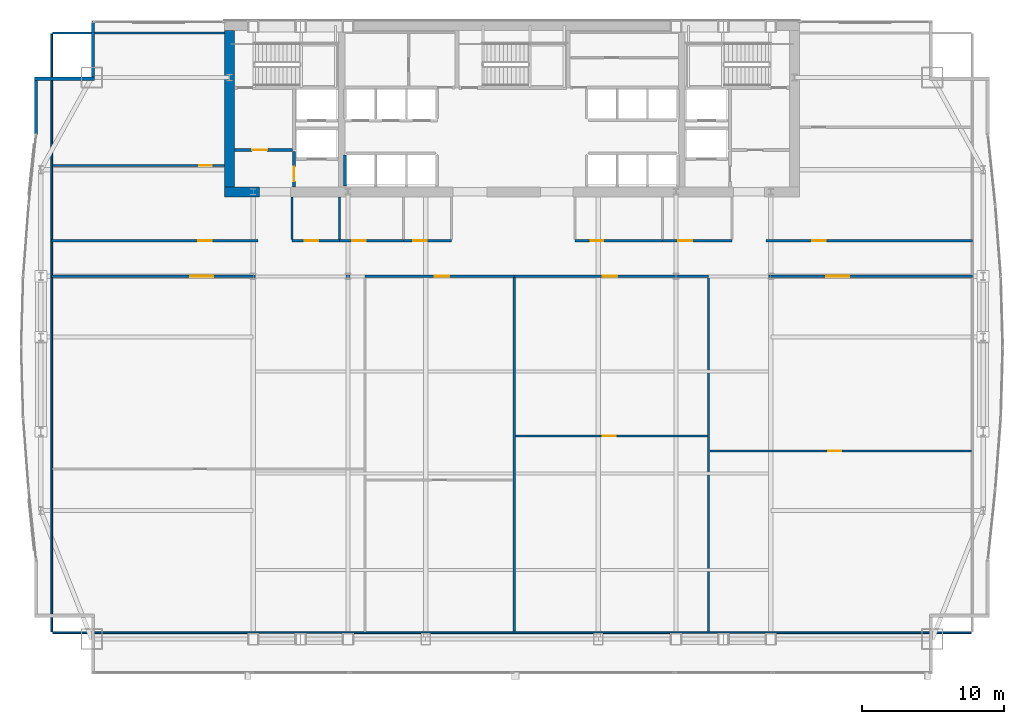
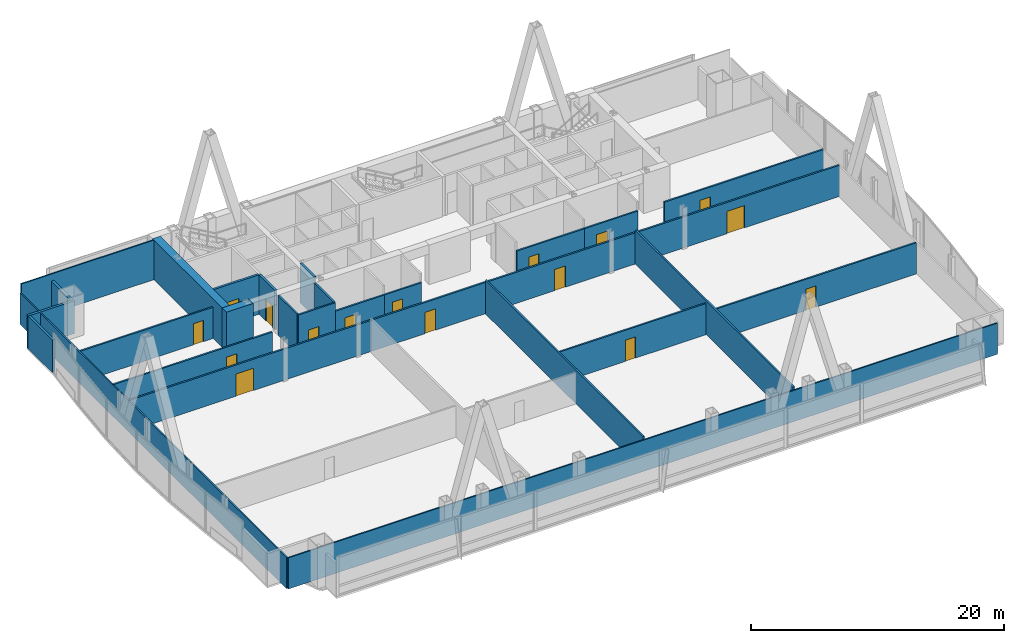
# One storey, part 28 of 32: 29 walls, 16 doors, 16 openings.
"""IFC4 building model written with IfcOpenShell, lengths in metres."""

import ifcopenshell
import ifcopenshell.guid

model = None  # the IFC model being written
_history = None  # IfcOwnerHistory: only IFC2X3 demands one
_inside = {}  # id of a spatial element -> (the spatial element, [elements in it])
_under = {}  # id of a project, library or spatial element -> (it, [spatial elements below it])
_declared = {}  # id of a project -> (the project, [libraries it declares])
_typed = {}  # id of a type object -> (the type object, [elements of that type])
_made_of = {}  # id of a material, layer set ... -> (it, [elements and type objects made of it])


def new_model(schema):
    """Start an empty IFC model of exactly this schema.

    Asked for "IFC4X3", IfcOpenShell would pick the latest addendum, in which some entities
    have other attributes; the version numbers below select the first issue.
    IFC2X3 requires an IfcOwnerHistory on every rooted entity: one is made here for all.
    """
    global model, _history
    if schema == "IFC4X3":
        model = ifcopenshell.file(schema_version=(4, 3, 0, 0))
    else:
        model = ifcopenshell.file(schema=schema)
    _inside.clear()
    _under.clear()
    _declared.clear()
    _typed.clear()
    _made_of.clear()
    _history = None
    if model.schema == "IFC2X3":
        org = make("IfcOrganization", Name="unknown")
        user = make(
            "IfcPersonAndOrganization",
            ThePerson=make("IfcPerson", FamilyName="unknown"),
            TheOrganization=org,
        )
        app = make(
            "IfcApplication",
            ApplicationDeveloper=org,
            Version="unknown",
            ApplicationFullName="unknown",
            ApplicationIdentifier="unknown",
        )
        _history = make(
            "IfcOwnerHistory",
            OwningUser=user,
            OwningApplication=app,
            ChangeAction="ADDED",
            CreationDate=0,
        )
    return model


def make(cls, **values):
    """One entity of the class cls with the attributes given. An attribute that is None is left unset."""
    return model.create_entity(
        cls, **{name: value for name, value in values.items() if value is not None}
    )


def rooted(cls, **values):
    """An entity with a GlobalId (a new one), such as an element, a storey or a relation."""
    return make(cls, GlobalId=ifcopenshell.guid.new(), OwnerHistory=_history, **values)


def si_unit(unit_type, name, prefix=None):
    """IfcSIUnit, for example si_unit("LENGTHUNIT", "METRE", prefix="MILLI")."""
    return make("IfcSIUnit", UnitType=unit_type, Prefix=prefix, Name=name)


def assignment(units):
    """IfcUnitAssignment: the units of a project."""
    return None if units is None else make("IfcUnitAssignment", Units=units)


def point(xyz):
    """IfcCartesianPoint."""
    return None if xyz is None else make("IfcCartesianPoint", Coordinates=xyz)


def direction(xyz):
    """IfcDirection."""
    return None if xyz is None else make("IfcDirection", DirectionRatios=xyz)


def frame(location, z_axis=None, x_axis=None):
    """IfcAxis2Placement3D, a coordinate frame: its origin and axes. An axis left out is left unset."""
    return make(
        "IfcAxis2Placement3D",
        Location=point(location),
        Axis=direction(z_axis),
        RefDirection=direction(x_axis),
    )


def frame_2d(location, x_axis=None):
    """IfcAxis2Placement2D, a coordinate frame in the plane: its origin and x axis."""
    return make(
        "IfcAxis2Placement2D", Location=point(location), RefDirection=direction(x_axis)
    )


def origin():
    """The frame at (0, 0, 0) with its axes left unset."""
    return frame((0.0, 0.0, 0.0))


def place(relative_to, where):
    """IfcLocalPlacement: puts the frame where relative to a parent placement (None: the world)."""
    return make(
        "IfcLocalPlacement", PlacementRelTo=relative_to, RelativePlacement=where
    )


def context(
    kind, dimensions, precision=None, world=None, true_north=None, identifier=None
):
    """IfcGeometricRepresentationContext, for example the 3D "Model" context."""
    return make(
        "IfcGeometricRepresentationContext",
        ContextIdentifier=identifier,
        ContextType=kind,
        CoordinateSpaceDimension=dimensions,
        Precision=precision,
        WorldCoordinateSystem=world,
        TrueNorth=true_north,
    )


def subcontext(parent, identifier, kind, view, scale=None):
    """IfcGeometricRepresentationSubContext, for example "Body" below "Model"."""
    return make(
        "IfcGeometricRepresentationSubContext",
        ContextIdentifier=identifier,
        ContextType=kind,
        ParentContext=parent,
        TargetScale=scale,
        TargetView=view,
    )


def project(units=None, contexts=None):
    """IfcProject with its units and contexts."""
    return rooted(
        "IfcProject",
        Name="project",
        RepresentationContexts=contexts,
        UnitsInContext=assignment(units),
    )


def spatial(cls, under=None, at=None, **own):
    """A site, building, storey or space (cls), placed at a placement, below another one or the project."""
    s = rooted(cls, ObjectPlacement=at, **own)
    if under is not None:
        _under.setdefault(under.id(), (under, []))[1].append(s)
    return s


def profile(cls, at=None, kind="AREA", **sizes):
    """A parametric profile (cls). Its sizes go by their IFC names, for example OverallWidth=200.0."""
    return make(cls, ProfileType=kind, Position=at, **sizes)


def rectangle(**sizes):
    """IfcRectangleProfileDef."""
    return profile("IfcRectangleProfileDef", **sizes)


def extrude(swept, where, along, depth):
    """IfcExtrudedAreaSolid: the profile swept, set in the frame where, extruded along a direction by depth."""
    return make(
        "IfcExtrudedAreaSolid",
        SweptArea=swept,
        Position=where,
        ExtrudedDirection=direction(along),
        Depth=depth,
    )


def shape(context_of_items, identifier, shape_type, items):
    """IfcShapeRepresentation: the items that make up one representation, for example the "Body"."""
    return make(
        "IfcShapeRepresentation",
        ContextOfItems=context_of_items,
        RepresentationIdentifier=identifier,
        RepresentationType=shape_type,
        Items=items,
    )


def material(Name=None, Category=None):
    """IfcMaterial."""
    return make("IfcMaterial", Name=Name, Category=Category)


def layer(
    of_material, thickness, ventilated=None, Name=None, Category=None, Priority=None
):
    """IfcMaterialLayer: one layer of a wall or slab, of a material (None: an air gap)."""
    return make(
        "IfcMaterialLayer",
        Material=of_material,
        LayerThickness=thickness,
        IsVentilated=ventilated,
        Name=Name,
        Category=Category,
        Priority=Priority,
    )


def layer_set(layers, Name=None):
    """IfcMaterialLayerSet."""
    return make("IfcMaterialLayerSet", MaterialLayers=layers, LayerSetName=Name)


def made_of(thing, what):
    """Note that an element or type object is made of a material, layer set ...; save() writes the relation."""
    if what is not None:
        _made_of.setdefault(what.id(), (what, []))[1].append(thing)
    return thing


def type_object(cls, material=None, **own):
    """A type object (cls), such as IfcWallType, which elements share."""
    return made_of(rooted(cls, **own), material)


def element(
    cls,
    number,
    at=None,
    inside=None,
    cuts=None,
    type_object=None,
    material=None,
    context=None,
    identifier="Body",
    shape_type=None,
    held_by="IfcProductDefinitionShape",
    body=None,
    shapes=None,
    **own,
):
    """One element of the class cls, such as IfcWall. Its Tag is "e" and its number.

    at: its placement. inside: the storey or other place that contains it. cuts: it is an
    opening in that element (IfcRelVoidsElement). A single representation is given by context,
    identifier, shape_type and body (its items); several are given by shapes. held_by: the class
    of the entity that holds the representations. save() writes the other relations.
    """
    e = rooted(cls, Tag="e%d" % number, ObjectPlacement=at, **own)
    if body is not None:
        shapes = [shape(context, identifier, shape_type, body)]
    if shapes is not None:
        e.Representation = make(held_by, Representations=shapes)
    if inside is not None:
        _inside.setdefault(inside.id(), (inside, []))[1].append(e)
    if cuts is not None:
        rooted(
            "IfcRelVoidsElement", RelatingBuildingElement=cuts, RelatedOpeningElement=e
        )
    if type_object is not None:
        _typed.setdefault(type_object.id(), (type_object, []))[1].append(e)
    return made_of(e, material)


def fill(opening, filler):
    """IfcRelFillsElement: the door or window that sits in an opening."""
    return rooted(
        "IfcRelFillsElement",
        RelatingOpeningElement=opening,
        RelatedBuildingElement=filler,
    )


def aggregate(whole, parts):
    """IfcRelAggregates: a whole, such as a stair, and the parts it consists of."""
    return rooted("IfcRelAggregates", RelatingObject=whole, RelatedObjects=parts)


def save(model, path):
    """Write the relations noted so far, then the file.

    IfcRelAggregates (storeys below a building ...), IfcRelContainedInSpatialStructure (elements
    in a storey), IfcRelDefinesByType, IfcRelAssociatesMaterial and IfcRelDeclares: one each for
    every whole, place, type object, material and project.
    """
    for whole, parts in _under.values():
        aggregate(whole, parts)
    for where, things in _inside.values():
        rooted(
            "IfcRelContainedInSpatialStructure",
            RelatedElements=things,
            RelatingStructure=where,
        )
    for kind, things in _typed.values():
        rooted("IfcRelDefinesByType", RelatedObjects=things, RelatingType=kind)
    for what, things in _made_of.values():
        rooted("IfcRelAssociatesMaterial", RelatedObjects=things, RelatingMaterial=what)
    for by, libraries in _declared.values():
        rooted("IfcRelDeclares", RelatingContext=by, RelatedDefinitions=libraries)
    model.write(path)


model = new_model("IFC4")

# Units and contexts
model_context = context("Model", 3, precision=1e-05, world=origin(), true_north=direction((0.0, 1.0)))
body_context = subcontext(model_context, "Body", "Model", "MODEL_VIEW")
ifc_project = project(units=[si_unit("LENGTHUNIT", "METRE"), si_unit("AREAUNIT", "SQUARE_METRE"), si_unit("VOLUMEUNIT", "CUBIC_METRE"), si_unit("PLANEANGLEUNIT", "RADIAN"), si_unit("MASSUNIT", "GRAM", prefix="KILO")], contexts=[model_context])

# Site, building, storey
site_placement = place(None, origin())
site = spatial("IfcSite", under=ifc_project, at=site_placement, CompositionType="ELEMENT")
building_placement = place(site_placement, origin())
building = spatial("IfcBuilding", under=site, at=building_placement, Name="Khoronbel Lancet Exchange", CompositionType="ELEMENT")
storey_placement = place(building_placement, frame((0.0, 0.0, 94.60009765625)))
storey = spatial("IfcBuildingStorey", under=building, at=storey_placement, Name="L22", CompositionType="ELEMENT", Elevation=94.60009765625)

# Walls
ifc_material_1 = material(Name="Concrete C80/95", Category="concrete")
ifc_layer_1 = layer(ifc_material_1, 0.699951171875, Name="Concrete C80/95")
ifc_layer_set_1 = layer_set([ifc_layer_1], Name="Concrete C80/95")
wall_type_1 = type_object("IfcWallType", Name="WL-CW2", PredefinedType="SHEAR", material=ifc_layer_set_1)
wall_1_placement = place(storey_placement, frame((16.550048828125, 42.0, 0.0), z_axis=(0.0, 0.0, 1.0), x_axis=(0.0, 1.0, 0.0)))
element("IfcWall", 1, at=wall_1_placement, inside=storey, type_object=wall_type_1, Name="Level L22 rear core west shear wall", PredefinedType="SHEAR", context=body_context, shape_type="SweptSolid", body=[
    extrude(rectangle(XDim=11.0, YDim=0.699951171875, at=frame_2d((5.5, 0.0))), origin(), (0.0, 0.0, 1.0), 3.81982421875),
])
wall_2_placement = place(storey_placement, frame((18.64990234375, 41.64990234375, 0.0), z_axis=(0.0, 0.0, 1.0), x_axis=(-1.0, 0.0, 0.0)))
element("IfcWall", 2, at=wall_2_placement, inside=storey, type_object=wall_type_1, Name="Level L22 rear core south shear wall pier P1", PredefinedType="SHEAR", context=body_context, shape_type="SweptSolid", body=[
    extrude(rectangle(XDim=2.449951171875, YDim=0.699951171875, at=frame_2d((1.22509765625, 0.0))), origin(), (0.0, 0.0, 1.0), 3.81982421875),
])
ifc_material_2 = material(Name="Precast concrete C40/50", Category="concrete")
ifc_layer_2 = layer(ifc_material_2, 0.25, Name="Precast concrete C40/50")
ifc_layer_set_2 = layer_set([ifc_layer_2], Name="Precast concrete C40/50")
wall_type_2 = type_object("IfcWallType", Name="WL-EXT250", PredefinedType="SOLIDWALL", material=ifc_layer_set_2)
wall_3_placement = place(storey_placement, frame((2.93994140625, 45.67529296875, 0.0), z_axis=(0.0, 0.0, 1.0), x_axis=(0.0, 1.0, 0.0)))
element("IfcWall", 3, at=wall_3_placement, inside=storey, type_object=wall_type_2, Name="Level L22 notched-corner limestone pier 10", PredefinedType="SOLIDWALL", context=body_context, shape_type="SweptSolid", body=[
    extrude(rectangle(XDim=3.82470703125, YDim=0.219970703125, at=frame_2d((1.912353515625, 0.0))), origin(), (0.0, 0.0, 1.0), 3.159912109375),
])
wall_4_placement = place(storey_placement, frame((2.830078125, 49.610107421875, 0.0), z_axis=(0.0, 0.0, 1.0), x_axis=(1.0, 0.0, 0.0)))
element("IfcWall", 4, at=wall_4_placement, inside=storey, type_object=wall_type_2, Name="Level L22 notched-corner limestone pier 11", PredefinedType="SOLIDWALL", context=body_context, shape_type="SweptSolid", body=[
    extrude(rectangle(XDim=4.219970703125, YDim=0.219970703125, at=frame_2d((2.10986328125, 0.0))), origin(), (0.0, 0.0, 1.0), 3.159912109375),
])
wall_5_placement = place(storey_placement, frame((6.93994140625, 49.719970703125, 0.0), z_axis=(0.0, 0.0, 1.0), x_axis=(0.0, 1.0, 0.0)))
element("IfcWall", 5, at=wall_5_placement, inside=storey, type_object=wall_type_2, Name="Level L22 notched-corner limestone pier 12", PredefinedType="SOLIDWALL", context=body_context, shape_type="SweptSolid", body=[
    extrude(rectangle(XDim=3.909912109375, YDim=0.219970703125, at=frame_2d((1.955078125, 0.0))), origin(), (0.0, 0.0, 1.0), 3.159912109375),
])
ifc_material_3 = material(Name="Acoustic Metal-Stud & Mineral-Wool Gypsum Partition 120 mm", Category="gypsum")
ifc_layer_3 = layer(ifc_material_3, 0.1201171875, Name="Acoustic Metal-Stud & Mineral-Wool Gypsum Partition 120 mm")
ifc_layer_set_3 = layer_set([ifc_layer_3], Name="Acoustic Metal-Stud & Mineral-Wool Gypsum Partition 120 mm")
wall_type_3 = type_object("IfcWallType", Name="WL-PRT120", PredefinedType="PARTITIONING", material=ifc_layer_set_3)
for number, where, z_axis, x_axis, name in (
    (6, (20.949951171875, 38.280029296875, 0.0), (0.0, 0.0, 1.0), (0.0, 1.0, 0.0), "Level L22 interior partition PW-WC-0"),
    (7, (24.300048828125, 38.280029296875, 0.0), (0.0, 0.0, 1.0), (0.0, 1.0, 0.0), "Level L22 interior partition PW-WC-1"),
):
    element("IfcWall", number, at=place(storey_placement, frame(where, z_axis=z_axis, x_axis=x_axis)), inside=storey, type_object=wall_type_3, Name=name, PredefinedType="PARTITIONING", context=body_context, shape_type="SweptSolid", body=[
        extrude(rectangle(XDim=3.02001953125, YDim=0.14990234375, at=frame_2d((1.510009765625, 0.0))), origin(), (0.0, 0.0, 1.0), 3.81982421875),
    ])

# Wall, opening, door
wall_6_placement = place(storey_placement, frame((4.094970703125, 43.5, 0.0), z_axis=(0.0, 0.0, 1.0), x_axis=(1.0, 0.0, 0.0)))
wall_6 = element("IfcWall", 8, at=wall_6_placement, inside=storey, type_object=wall_type_3, Name="Level L22 interior partition PW-NW-H", PredefinedType="PARTITIONING", context=body_context, shape_type="SweptSolid", body=[
    extrude(rectangle(XDim=12.10498046875, YDim=0.14990234375, at=frame_2d((6.052490234375, 0.0))), origin(), (0.0, 0.0, 1.0), 3.010009765625),
])
opening_1_placement = place(wall_6_placement, frame((10.320068359375, 0.0, 0.0)))
opening_1 = element("IfcOpeningElement", 9, at=opening_1_placement, cuts=wall_6, Name="Opening D5", PredefinedType="OPENING", context=body_context, shape_type="SweptSolid", body=[
    extrude(rectangle(XDim=0.89990234375, YDim=2.050048828125, at=frame_2d((0.449951171875, 1.02490234375))), frame((0.0, 0.0849609375, 0.0), z_axis=(0.0, -1.0, 0.0), x_axis=(1.0, 0.0, 0.0)), (0.0, 0.0, 1.0), 0.169921875),
])
ifc_material_4 = material(Name="Acoustic Timber Pantry & Support Door", Category="wood")
door_type_1 = type_object("IfcDoorType", Name="DR-D5", OperationType="NOTDEFINED", PredefinedType="DOOR", material=ifc_material_4)
door_1_placement = place(opening_1_placement, origin())
door_1 = element("IfcDoor", 10, at=door_1_placement, inside=storey, type_object=door_type_1, Name="NW north room door L22-1", OperationType="SINGLE_SWING_RIGHT", OverallHeight=2.050048828125, OverallWidth=0.89990234375, PredefinedType="DOOR", context=body_context, shape_type="SweptSolid", body=[
    extrude(rectangle(XDim=0.89990234375, YDim=2.050048828125, at=frame_2d((0.449951171875, 1.02490234375))), frame((0.0, 0.02490234375, 0.0), z_axis=(0.0, -1.0, 0.0), x_axis=(1.0, 0.0, 0.0)), (0.0, 0.0, 1.0), 0.050048828125),
])
fill(opening_1, door_1)

wall_7_placement = place(storey_placement, frame((36.689208984375, 24.45947265625, 0.0), z_axis=(0.0, 0.0, 1.0), x_axis=(1.0, 0.0, 0.0)))
wall_7 = element("IfcWall", 11, at=wall_7_placement, inside=storey, type_object=wall_type_3, Name="Level L22 interior partition PW-Z1S-H3", PredefinedType="PARTITIONING", context=body_context, shape_type="SweptSolid", body=[
    extrude(rectangle(XDim=13.529541015625, YDim=0.14990234375, at=frame_2d((6.7646484375, 0.0))), origin(), (0.0, 0.0, 1.0), 3.010009765625),
])
opening_2_placement = place(wall_7_placement, frame((6.160400390625, 0.0, 0.0)))
opening_2 = element("IfcOpeningElement", 12, at=opening_2_placement, cuts=wall_7, Name="Opening D5", PredefinedType="OPENING", context=body_context, shape_type="SweptSolid", body=[
    extrude(rectangle(XDim=0.89990234375, YDim=2.050048828125, at=frame_2d((0.449951171875, 1.02490234375))), frame((0.0, 0.0849609375, 0.0), z_axis=(0.0, -1.0, 0.0), x_axis=(1.0, 0.0, 0.0)), (0.0, 0.0, 1.0), 0.169921875),
])
door_2_placement = place(opening_2_placement, origin())
door_2 = element("IfcDoor", 13, at=door_2_placement, inside=storey, type_object=door_type_1, Name="Z1S inner door 3 L22-1", OperationType="SINGLE_SWING_RIGHT", OverallHeight=2.050048828125, OverallWidth=0.89990234375, PredefinedType="DOOR", context=body_context, shape_type="SweptSolid", body=[
    extrude(rectangle(XDim=0.89990234375, YDim=2.050048828125, at=frame_2d((0.449951171875, 1.02490234375))), frame((0.0, 0.02490234375, 0.0), z_axis=(0.0, -1.0, 0.0), x_axis=(1.0, 0.0, 0.0)), (0.0, 0.0, 1.0), 0.050048828125),
])
fill(opening_2, door_2)

wall_8_placement = place(storey_placement, frame((50.37890625, 23.404052734375, 0.0), z_axis=(0.0, 0.0, 1.0), x_axis=(1.0, 0.0, 0.0)))
wall_8 = element("IfcWall", 14, at=wall_8_placement, inside=storey, type_object=wall_type_3, Name="Level L22 interior partition PW-Z1S-H4", PredefinedType="PARTITIONING", context=body_context, shape_type="SweptSolid", body=[
    extrude(rectangle(XDim=18.426025390625, YDim=0.14990234375, at=frame_2d((9.212890625, 0.0))), origin(), (0.0, 0.0, 1.0), 3.010009765625),
])
opening_3_placement = place(wall_8_placement, frame((8.35693359375, 0.0, 0.0)))
opening_3 = element("IfcOpeningElement", 15, at=opening_3_placement, cuts=wall_8, Name="Opening D5", PredefinedType="OPENING", context=body_context, shape_type="SweptSolid", body=[
    extrude(rectangle(XDim=0.89990234375, YDim=2.050048828125, at=frame_2d((0.449951171875, 1.02490234375))), frame((0.0, 0.0849609375, 0.0), z_axis=(0.0, -1.0, 0.0), x_axis=(1.0, 0.0, 0.0)), (0.0, 0.0, 1.0), 0.169921875),
])
door_3_placement = place(opening_3_placement, origin())
door_3 = element("IfcDoor", 16, at=door_3_placement, inside=storey, type_object=door_type_1, Name="Z1S inner door 4 L22-1", OperationType="SINGLE_SWING_LEFT", OverallHeight=2.050048828125, OverallWidth=0.89990234375, PredefinedType="DOOR", context=body_context, shape_type="SweptSolid", body=[
    extrude(rectangle(XDim=0.89990234375, YDim=2.050048828125, at=frame_2d((0.449951171875, 1.02490234375))), frame((0.0, 0.02490234375, 0.0), z_axis=(0.0, -1.0, 0.0), x_axis=(1.0, 0.0, 0.0)), (0.0, 0.0, 1.0), 0.050048828125),
])
fill(opening_3, door_3)

# Walls
wall_9_placement = place(storey_placement, frame((4.030029296875, 10.6650390625, 0.0), z_axis=(0.0, 0.0, 1.0), x_axis=(0.0, 1.0, 0.0)))
element("IfcWall", 17, at=wall_9_placement, inside=storey, type_object=wall_type_3, Name="Level L22 interior partition PW-LIN-W", PredefinedType="PARTITIONING", context=body_context, shape_type="SweptSolid", body=[
    extrude(rectangle(XDim=42.10986328125, YDim=0.1201171875, at=frame_2d((21.054931640625, 0.0))), origin(), (0.0, 0.0, 1.0), 3.010009765625),
])
wall_10_placement = place(storey_placement, frame((4.094970703125, 52.840087890625, 0.0), z_axis=(0.0, 0.0, 1.0), x_axis=(1.0, 0.0, 0.0)))
element("IfcWall", 18, at=wall_10_placement, inside=storey, type_object=wall_type_3, Name="Level L22 interior partition PW-LIN-NW", PredefinedType="PARTITIONING", context=body_context, shape_type="SweptSolid", body=[
    extrude(rectangle(XDim=12.10498046875, YDim=0.1201171875, at=frame_2d((6.052490234375, 0.0))), origin(), (0.0, 0.0, 1.0), 3.81982421875),
])
wall_11_placement = place(storey_placement, frame((4.094970703125, 10.60009765625, 0.0), z_axis=(0.0, 0.0, 1.0), x_axis=(1.0, 0.0, 0.0)))
element("IfcWall", 19, at=wall_11_placement, inside=storey, type_object=wall_type_3, Name="Level L22 interior partition PW-LIN-S", PredefinedType="PARTITIONING", context=body_context, shape_type="SweptSolid", body=[
    extrude(rectangle(XDim=64.7099609375, YDim=0.1201171875, at=frame_2d((32.35498046875, 0.0))), origin(), (0.0, 0.0, 1.0), 3.010009765625),
])

# Wall, opening, door
ifc_material_5 = material(Name="Fire-Rated Twin-Stud Acoustic Gypsum Partition 150 mm", Category="gypsum")
ifc_layer_4 = layer(ifc_material_5, 0.14990234375, Name="Fire-Rated Twin-Stud Acoustic Gypsum Partition 150 mm")
ifc_layer_set_4 = layer_set([ifc_layer_4], Name="Fire-Rated Twin-Stud Acoustic Gypsum Partition 150 mm")
wall_type_4 = type_object("IfcWallType", Name="WL-PRT150C", PredefinedType="PARTITIONING", material=ifc_layer_set_4)
wall_12_placement = place(storey_placement, frame((20.949951171875, 38.199951171875, 0.0), z_axis=(0.0, 0.0, 1.0), x_axis=(1.0, 0.0, 0.0)))
wall_12 = element("IfcWall", 20, at=wall_12_placement, inside=storey, type_object=wall_type_4, Name="Level L22 interior partition PW-WC-S1", PredefinedType="PARTITIONING", context=body_context, shape_type="SweptSolid", body=[
    extrude(rectangle(XDim=3.35009765625, YDim=0.14990234375, at=frame_2d((1.675048828125, 0.0))), origin(), (0.0, 0.0, 1.0), 3.81982421875),
])
opening_4_placement = place(wall_12_placement, frame((0.89990234375, 0.0, 0.0)))
opening_4 = element("IfcOpeningElement", 21, at=opening_4_placement, cuts=wall_12, Name="Opening D4", PredefinedType="OPENING", context=body_context, shape_type="SweptSolid", body=[
    extrude(rectangle(XDim=0.949951171875, YDim=2.050048828125, at=frame_2d((0.47509765625, 1.02490234375))), frame((0.0, 0.0849609375, 0.0), z_axis=(0.0, -1.0, 0.0), x_axis=(1.0, 0.0, 0.0)), (0.0, 0.0, 1.0), 0.169921875),
])
ifc_material_6 = material(Name="Moisture-Resistant HPL Washroom Door", Category="wood")
door_type_2 = type_object("IfcDoorType", Name="DR-D4", OperationType="NOTDEFINED", PredefinedType="DOOR", material=ifc_material_6)
door_4_placement = place(opening_4_placement, origin())
door_4 = element("IfcDoor", 22, at=door_4_placement, inside=storey, type_object=door_type_2, Name="Male washroom door L22-1", OperationType="SINGLE_SWING_LEFT", OverallHeight=2.050048828125, OverallWidth=0.949951171875, PredefinedType="DOOR", context=body_context, shape_type="SweptSolid", body=[
    extrude(rectangle(XDim=0.949951171875, YDim=2.050048828125, at=frame_2d((0.47509765625, 1.02490234375))), frame((0.0, 0.02490234375, 0.0), z_axis=(0.0, -1.0, 0.0), x_axis=(1.0, 0.0, 0.0)), (0.0, 0.0, 1.0), 0.050048828125),
])
fill(opening_4, door_4)

wall_13_placement = place(storey_placement, frame((24.300048828125, 38.199951171875, 0.0), z_axis=(0.0, 0.0, 1.0), x_axis=(1.0, 0.0, 0.0)))
wall_13 = element("IfcWall", 23, at=wall_13_placement, inside=storey, type_object=wall_type_4, Name="Level L22 interior partition PW-WC-S2", PredefinedType="PARTITIONING", context=body_context, shape_type="SweptSolid", body=[
    extrude(rectangle(XDim=4.5, YDim=0.14990234375, at=frame_2d((2.25, 0.0))), origin(), (0.0, 0.0, 1.0), 3.010009765625),
])
opening_5_placement = place(wall_13_placement, frame((0.89990234375, 0.0, 0.0)))
opening_5 = element("IfcOpeningElement", 24, at=opening_5_placement, cuts=wall_13, Name="Opening D4", PredefinedType="OPENING", context=body_context, shape_type="SweptSolid", body=[
    extrude(rectangle(XDim=0.949951171875, YDim=2.050048828125, at=frame_2d((0.47509765625, 1.02490234375))), frame((0.0, 0.0849609375, 0.0), z_axis=(0.0, -1.0, 0.0), x_axis=(1.0, 0.0, 0.0)), (0.0, 0.0, 1.0), 0.169921875),
])
door_5_placement = place(opening_5_placement, origin())
door_5 = element("IfcDoor", 25, at=door_5_placement, inside=storey, type_object=door_type_2, Name="Female washroom door L22-1", OperationType="SINGLE_SWING_RIGHT", OverallHeight=2.050048828125, OverallWidth=0.949951171875, PredefinedType="DOOR", context=body_context, shape_type="SweptSolid", body=[
    extrude(rectangle(XDim=0.949951171875, YDim=2.050048828125, at=frame_2d((0.47509765625, 1.02490234375))), frame((0.0, 0.02490234375, 0.0), z_axis=(0.0, -1.0, 0.0), x_axis=(1.0, 0.0, 0.0)), (0.0, 0.0, 1.0), 0.050048828125),
])
fill(opening_5, door_5)

wall_14_placement = place(storey_placement, frame((28.800048828125, 38.199951171875, 0.0), z_axis=(0.0, 0.0, 1.0), x_axis=(1.0, 0.0, 0.0)))
wall_14 = element("IfcWall", 26, at=wall_14_placement, inside=storey, type_object=wall_type_4, Name="Level L22 interior partition PW-WC-S3", PredefinedType="PARTITIONING", context=body_context, shape_type="SweptSolid", body=[
    extrude(rectangle(XDim=3.3798828125, YDim=0.14990234375, at=frame_2d((1.68994140625, 0.0))), origin(), (0.0, 0.0, 1.0), 3.010009765625),
])
opening_6_placement = place(wall_14_placement, frame((0.699951171875, 0.0, 0.0)))
opening_6 = element("IfcOpeningElement", 27, at=opening_6_placement, cuts=wall_14, Name="Opening D4", PredefinedType="OPENING", context=body_context, shape_type="SweptSolid", body=[
    extrude(rectangle(XDim=0.949951171875, YDim=2.050048828125, at=frame_2d((0.47509765625, 1.02490234375))), frame((0.0, 0.0849609375, 0.0), z_axis=(0.0, -1.0, 0.0), x_axis=(1.0, 0.0, 0.0)), (0.0, 0.0, 1.0), 0.169921875),
])
door_6_placement = place(opening_6_placement, origin())
door_6 = element("IfcDoor", 28, at=door_6_placement, inside=storey, type_object=door_type_2, Name="Accessible WC door L22-1", OperationType="SINGLE_SWING_LEFT", OverallHeight=2.050048828125, OverallWidth=0.949951171875, PredefinedType="DOOR", context=body_context, shape_type="SweptSolid", body=[
    extrude(rectangle(XDim=0.949951171875, YDim=2.050048828125, at=frame_2d((0.47509765625, 1.02490234375))), frame((0.0, 0.02490234375, 0.0), z_axis=(0.0, -1.0, 0.0), x_axis=(1.0, 0.0, 0.0)), (0.0, 0.0, 1.0), 0.050048828125),
])
fill(opening_6, door_6)

wall_15_placement = place(storey_placement, frame((40.8798828125, 38.199951171875, 0.0), z_axis=(0.0, 0.0, 1.0), x_axis=(1.0, 0.0, 0.0)))
wall_15 = element("IfcWall", 29, at=wall_15_placement, inside=storey, type_object=wall_type_4, Name="Level L22 interior partition PW-NP-S1", PredefinedType="PARTITIONING", context=body_context, shape_type="SweptSolid", body=[
    extrude(rectangle(XDim=6.170166015625, YDim=0.14990234375, at=frame_2d((3.0849609375, 0.0))), origin(), (0.0, 0.0, 1.0), 3.010009765625),
])
opening_7_placement = place(wall_15_placement, frame((1.10009765625, 0.0, 0.0)))
opening_7 = element("IfcOpeningElement", 30, at=opening_7_placement, cuts=wall_15, Name="Opening D5", PredefinedType="OPENING", context=body_context, shape_type="SweptSolid", body=[
    extrude(rectangle(XDim=0.89990234375, YDim=2.050048828125, at=frame_2d((0.449951171875, 1.02490234375))), frame((0.0, 0.0849609375, 0.0), z_axis=(0.0, -1.0, 0.0), x_axis=(1.0, 0.0, 0.0)), (0.0, 0.0, 1.0), 0.169921875),
])
door_7_placement = place(opening_7_placement, origin())
door_7 = element("IfcDoor", 31, at=door_7_placement, inside=storey, type_object=door_type_1, Name="Floor refreshment pantry door L22-1", OperationType="SINGLE_SWING_RIGHT", OverallHeight=2.050048828125, OverallWidth=0.89990234375, PredefinedType="DOOR", context=body_context, shape_type="SweptSolid", body=[
    extrude(rectangle(XDim=0.89990234375, YDim=2.050048828125, at=frame_2d((0.449951171875, 1.02490234375))), frame((0.0, 0.02490234375, 0.0), z_axis=(0.0, -1.0, 0.0), x_axis=(1.0, 0.0, 0.0)), (0.0, 0.0, 1.0), 0.050048828125),
])
fill(opening_7, door_7)

wall_16_placement = place(storey_placement, frame((47.050048828125, 38.199951171875, 0.0), z_axis=(0.0, 0.0, 1.0), x_axis=(1.0, 0.0, 0.0)))
wall_16 = element("IfcWall", 32, at=wall_16_placement, inside=storey, type_object=wall_type_4, Name="Level L22 interior partition PW-NP-S2", PredefinedType="PARTITIONING", context=body_context, shape_type="SweptSolid", body=[
    extrude(rectangle(XDim=4.89990234375, YDim=0.14990234375, at=frame_2d((2.449951171875, 0.0))), origin(), (0.0, 0.0, 1.0), 3.010009765625),
])
opening_8_placement = place(wall_16_placement, frame((1.10009765625, 0.0, 0.0)))
opening_8 = element("IfcOpeningElement", 33, at=opening_8_placement, cuts=wall_16, Name="Opening D2", PredefinedType="OPENING", context=body_context, shape_type="SweptSolid", body=[
    extrude(rectangle(XDim=1.0, YDim=2.050048828125, at=frame_2d((0.5, 1.02490234375))), frame((0.0, 0.0849609375, 0.0), z_axis=(0.0, -1.0, 0.0), x_axis=(1.0, 0.0, 0.0)), (0.0, 0.0, 1.0), 0.169921875),
])
ifc_material_7 = material(Name="Acoustic Veneered Timber & Bronze Frame Door", Category="wood")
door_type_3 = type_object("IfcDoorType", Name="DR-D2", OperationType="NOTDEFINED", PredefinedType="DOOR", material=ifc_material_7)
door_8_placement = place(opening_8_placement, origin())
door_8 = element("IfcDoor", 34, at=door_8_placement, inside=storey, type_object=door_type_3, Name="Floor store door L22-1", OperationType="SINGLE_SWING_LEFT", OverallHeight=2.050048828125, OverallWidth=1.0, PredefinedType="DOOR", context=body_context, shape_type="SweptSolid", body=[
    extrude(rectangle(XDim=1.0, YDim=2.050048828125, at=frame_2d((0.5, 1.02490234375))), frame((0.0, 0.02490234375, 0.0), z_axis=(0.0, -1.0, 0.0), x_axis=(1.0, 0.0, 0.0)), (0.0, 0.0, 1.0), 0.050048828125),
])
fill(opening_8, door_8)

wall_17_placement = place(storey_placement, frame((4.030029296875, 38.199951171875, 0.0), z_axis=(0.0, 0.0, 1.0), x_axis=(1.0, 0.0, 0.0)))
wall_17 = element("IfcWall", 35, at=wall_17_placement, inside=storey, type_object=wall_type_4, Name="Level L22 interior partition PW-NW-S", PredefinedType="PARTITIONING", context=body_context, shape_type="SweptSolid", body=[
    extrude(rectangle(XDim=14.52001953125, YDim=0.14990234375, at=frame_2d((7.260009765625, 0.0))), origin(), (0.0, 0.0, 1.0), 3.010009765625),
])
opening_9_placement = place(wall_17_placement, frame((10.320068359375, 0.0, 0.0)))
opening_9 = element("IfcOpeningElement", 36, at=opening_9_placement, cuts=wall_17, Name="Opening D1", PredefinedType="OPENING", context=body_context, shape_type="SweptSolid", body=[
    extrude(rectangle(XDim=0.949951171875, YDim=2.050048828125, at=frame_2d((0.47509765625, 1.02490234375))), frame((0.0, 0.0849609375, 0.0), z_axis=(0.0, -1.0, 0.0), x_axis=(1.0, 0.0, 0.0)), (0.0, 0.0, 1.0), 0.169921875),
])
door_type_4 = type_object("IfcDoorType", Name="DR-D1", OperationType="NOTDEFINED", PredefinedType="DOOR", material=ifc_material_7)
door_9_placement = place(opening_9_placement, origin())
door_9 = element("IfcDoor", 37, at=door_9_placement, inside=storey, type_object=door_type_4, Name="NW corner room door L22-1", OperationType="SINGLE_SWING_RIGHT", OverallHeight=2.050048828125, OverallWidth=0.949951171875, PredefinedType="DOOR", context=body_context, shape_type="SweptSolid", body=[
    extrude(rectangle(XDim=0.949951171875, YDim=2.050048828125, at=frame_2d((0.47509765625, 1.02490234375))), frame((0.0, 0.02490234375, 0.0), z_axis=(0.0, -1.0, 0.0), x_axis=(1.0, 0.0, 0.0)), (0.0, 0.0, 1.0), 0.050048828125),
])
fill(opening_9, door_9)

wall_18_placement = place(storey_placement, frame((54.35009765625, 38.199951171875, 0.0), z_axis=(0.0, 0.0, 1.0), x_axis=(1.0, 0.0, 0.0)))
wall_18 = element("IfcWall", 38, at=wall_18_placement, inside=storey, type_object=wall_type_4, Name="Level L22 interior partition PW-NE-S", PredefinedType="PARTITIONING", context=body_context, shape_type="SweptSolid", body=[
    extrude(rectangle(XDim=14.52001953125, YDim=0.14990234375, at=frame_2d((7.260009765625, 0.0))), origin(), (0.0, 0.0, 1.0), 3.010009765625),
])
opening_10_placement = place(wall_18_placement, frame((3.25, 0.0, 0.0)))
opening_10 = element("IfcOpeningElement", 39, at=opening_10_placement, cuts=wall_18, Name="Opening D1", PredefinedType="OPENING", context=body_context, shape_type="SweptSolid", body=[
    extrude(rectangle(XDim=0.949951171875, YDim=2.050048828125, at=frame_2d((0.47509765625, 1.02490234375))), frame((0.0, 0.0849609375, 0.0), z_axis=(0.0, -1.0, 0.0), x_axis=(1.0, 0.0, 0.0)), (0.0, 0.0, 1.0), 0.169921875),
])
door_10_placement = place(opening_10_placement, origin())
door_10 = element("IfcDoor", 40, at=door_10_placement, inside=storey, type_object=door_type_4, Name="NE corner room door L22-1", OperationType="SINGLE_SWING_LEFT", OverallHeight=2.050048828125, OverallWidth=0.949951171875, PredefinedType="DOOR", context=body_context, shape_type="SweptSolid", body=[
    extrude(rectangle(XDim=0.949951171875, YDim=2.050048828125, at=frame_2d((0.47509765625, 1.02490234375))), frame((0.0, 0.02490234375, 0.0), z_axis=(0.0, -1.0, 0.0), x_axis=(1.0, 0.0, 0.0)), (0.0, 0.0, 1.0), 0.050048828125),
])
fill(opening_10, door_10)

# Walls
for number, where, z_axis, x_axis, name in (
    (41, (36.609130859375, 10.6650390625, 0.0), (0.0, 0.0, 1.0), (0.0, 1.0, 0.0), "Level L22 interior partition PW-Z1S-V2"),
    (42, (50.298828125, 10.6650390625, 0.0), (0.0, 0.0, 1.0), (0.0, 1.0, 0.0), "Level L22 interior partition PW-Z1S-V3"),
):
    element("IfcWall", number, at=place(storey_placement, frame(where, z_axis=z_axis, x_axis=x_axis)), inside=storey, type_object=wall_type_4, Name=name, PredefinedType="PARTITIONING", context=body_context, shape_type="SweptSolid", body=[
        extrude(rectangle(XDim=24.949951171875, YDim=0.14990234375, at=frame_2d((12.47509765625, 0.0))), origin(), (0.0, 0.0, 1.0), 3.260009765625),
    ])

# Wall, opening, door
ifc_material_8 = material(Name="Fire-Rated Twin-Stud Acoustic Gypsum Partition 160 mm", Category="gypsum")
ifc_layer_5 = layer(ifc_material_8, 0.159912109375, Name="Fire-Rated Twin-Stud Acoustic Gypsum Partition 160 mm")
ifc_layer_set_5 = layer_set([ifc_layer_5], Name="Fire-Rated Twin-Stud Acoustic Gypsum Partition 160 mm")
wall_type_5 = type_object("IfcWallType", Name="WL-PRT160C", PredefinedType="PARTITIONING", material=ifc_layer_set_5)
wall_19_placement = place(storey_placement, frame((4.030029296875, 35.699951171875, 0.0), z_axis=(0.0, 0.0, 1.0), x_axis=(1.0, 0.0, 0.0)))
wall_19 = element("IfcWall", 43, at=wall_19_placement, inside=storey, type_object=wall_type_5, Name="Level L22 interior partition PW-Z1S-COR1", PredefinedType="PARTITIONING", context=body_context, shape_type="SweptSolid", body=[
    extrude(rectangle(XDim=22.0732421875, YDim=0.159912109375, at=frame_2d((11.03662109375, 0.0))), origin(), (0.0, 0.0, 1.0), 3.010009765625),
])
opening_11_placement = place(wall_19_placement, frame((9.770751953125, 0.0, 0.0)))
opening_11 = element("IfcOpeningElement", 44, at=opening_11_placement, cuts=wall_19, Name="Opening D3", PredefinedType="OPENING", context=body_context, shape_type="SweptSolid", body=[
    extrude(rectangle(XDim=1.60009765625, YDim=2.14990234375, at=frame_2d((0.800048828125, 1.074951171875))), frame((0.0, 0.08984375, 0.0), z_axis=(0.0, -1.0, 0.0), x_axis=(1.0, 0.0, 0.0)), (0.0, 0.0, 1.0), 0.179931640625),
])
ifc_material_9 = material(Name="Glazed Bronze-Framed Double Suite Door", Category="aluminium")
door_type_5 = type_object("IfcDoorType", Name="DR-D3", OperationType="NOTDEFINED", PredefinedType="DOOR", material=ifc_material_9)
door_11_placement = place(opening_11_placement, origin())
door_11 = element("IfcDoor", 45, at=door_11_placement, inside=storey, type_object=door_type_5, Name="Z1S bay 1 door L22-1", OperationType="DOUBLE_DOOR_SINGLE_SWING", OverallHeight=2.14990234375, OverallWidth=1.60009765625, PredefinedType="DOOR", context=body_context, shape_type="SweptSolid", body=[
    extrude(rectangle(XDim=1.60009765625, YDim=2.14990234375, at=frame_2d((0.800048828125, 1.074951171875))), frame((0.0, 0.02490234375, 0.0), z_axis=(0.0, -1.0, 0.0), x_axis=(1.0, 0.0, 0.0)), (0.0, 0.0, 1.0), 0.050048828125),
])
fill(opening_11, door_11)

wall_20_placement = place(storey_placement, frame((26.103271484375, 35.699951171875, 0.0), z_axis=(0.0, 0.0, 1.0), x_axis=(1.0, 0.0, 0.0)))
wall_20 = element("IfcWall", 46, at=wall_20_placement, inside=storey, type_object=wall_type_5, Name="Level L22 interior partition PW-Z1S-COR2", PredefinedType="PARTITIONING", context=body_context, shape_type="SweptSolid", body=[
    extrude(rectangle(XDim=10.505859375, YDim=0.159912109375, at=frame_2d((5.2529296875, 0.0))), origin(), (0.0, 0.0, 1.0), 3.010009765625),
])
opening_12_placement = place(wall_20_placement, frame((4.91259765625, 0.0, 0.0)))
opening_12 = element("IfcOpeningElement", 47, at=opening_12_placement, cuts=wall_20, Name="Opening D2", PredefinedType="OPENING", context=body_context, shape_type="SweptSolid", body=[
    extrude(rectangle(XDim=1.0, YDim=2.050048828125, at=frame_2d((0.5, 1.02490234375))), frame((0.0, 0.08984375, 0.0), z_axis=(0.0, -1.0, 0.0), x_axis=(1.0, 0.0, 0.0)), (0.0, 0.0, 1.0), 0.179931640625),
])
door_12_placement = place(opening_12_placement, origin())
door_12 = element("IfcDoor", 48, at=door_12_placement, inside=storey, type_object=door_type_3, Name="Z1S bay 2 door L22-1", OperationType="SINGLE_SWING_LEFT", OverallHeight=2.050048828125, OverallWidth=1.0, PredefinedType="DOOR", context=body_context, shape_type="SweptSolid", body=[
    extrude(rectangle(XDim=1.0, YDim=2.050048828125, at=frame_2d((0.5, 1.02490234375))), frame((0.0, 0.02490234375, 0.0), z_axis=(0.0, -1.0, 0.0), x_axis=(1.0, 0.0, 0.0)), (0.0, 0.0, 1.0), 0.050048828125),
])
fill(opening_12, door_12)

wall_21_placement = place(storey_placement, frame((36.609130859375, 35.699951171875, 0.0), z_axis=(0.0, 0.0, 1.0), x_axis=(1.0, 0.0, 0.0)))
wall_21 = element("IfcWall", 49, at=wall_21_placement, inside=storey, type_object=wall_type_5, Name="Level L22 interior partition PW-Z1S-COR3", PredefinedType="PARTITIONING", context=body_context, shape_type="SweptSolid", body=[
    extrude(rectangle(XDim=13.689697265625, YDim=0.159912109375, at=frame_2d((6.8447265625, 0.0))), origin(), (0.0, 0.0, 1.0), 3.010009765625),
])
opening_13_placement = place(wall_21_placement, frame((6.24951171875, 0.0, 0.0)))
opening_13 = element("IfcOpeningElement", 50, at=opening_13_placement, cuts=wall_21, Name="Opening D2", PredefinedType="OPENING", context=body_context, shape_type="SweptSolid", body=[
    extrude(rectangle(XDim=1.0, YDim=2.050048828125, at=frame_2d((0.5, 1.02490234375))), frame((0.0, 0.08984375, 0.0), z_axis=(0.0, -1.0, 0.0), x_axis=(1.0, 0.0, 0.0)), (0.0, 0.0, 1.0), 0.179931640625),
])
door_13_placement = place(opening_13_placement, origin())
door_13 = element("IfcDoor", 51, at=door_13_placement, inside=storey, type_object=door_type_3, Name="Z1S bay 3 door L22-1", OperationType="SINGLE_SWING_LEFT", OverallHeight=2.050048828125, OverallWidth=1.0, PredefinedType="DOOR", context=body_context, shape_type="SweptSolid", body=[
    extrude(rectangle(XDim=1.0, YDim=2.050048828125, at=frame_2d((0.5, 1.02490234375))), frame((0.0, 0.02490234375, 0.0), z_axis=(0.0, -1.0, 0.0), x_axis=(1.0, 0.0, 0.0)), (0.0, 0.0, 1.0), 0.050048828125),
])
fill(opening_13, door_13)

wall_22_placement = place(storey_placement, frame((50.298828125, 35.699951171875, 0.0), z_axis=(0.0, 0.0, 1.0), x_axis=(1.0, 0.0, 0.0)))
wall_22 = element("IfcWall", 52, at=wall_22_placement, inside=storey, type_object=wall_type_5, Name="Level L22 interior partition PW-Z1S-COR4", PredefinedType="PARTITIONING", context=body_context, shape_type="SweptSolid", body=[
    extrude(rectangle(XDim=18.5712890625, YDim=0.159912109375, at=frame_2d((9.28564453125, 0.0))), origin(), (0.0, 0.0, 1.0), 3.010009765625),
])
opening_14_placement = place(wall_22_placement, frame((8.2998046875, 0.0, 0.0)))
opening_14 = element("IfcOpeningElement", 53, at=opening_14_placement, cuts=wall_22, Name="Opening D3", PredefinedType="OPENING", context=body_context, shape_type="SweptSolid", body=[
    extrude(rectangle(XDim=1.60009765625, YDim=2.14990234375, at=frame_2d((0.800048828125, 1.074951171875))), frame((0.0, 0.08984375, 0.0), z_axis=(0.0, -1.0, 0.0), x_axis=(1.0, 0.0, 0.0)), (0.0, 0.0, 1.0), 0.179931640625),
])
door_14_placement = place(opening_14_placement, origin())
door_14 = element("IfcDoor", 54, at=door_14_placement, inside=storey, type_object=door_type_5, Name="Z1S bay 4 door L22-1", OperationType="DOUBLE_DOOR_SINGLE_SWING", OverallHeight=2.14990234375, OverallWidth=1.60009765625, PredefinedType="DOOR", context=body_context, shape_type="SweptSolid", body=[
    extrude(rectangle(XDim=1.60009765625, YDim=2.14990234375, at=frame_2d((0.800048828125, 1.074951171875))), frame((0.0, 0.02490234375, 0.0), z_axis=(0.0, -1.0, 0.0), x_axis=(1.0, 0.0, 0.0)), (0.0, 0.0, 1.0), 0.050048828125),
])
fill(opening_14, door_14)

ifc_material_10 = material(Name="Autoclaved Aerated Concrete Blockwork 200 mm", Category="masonry")
ifc_layer_6 = layer(ifc_material_10, 0.199951171875, Name="Autoclaved Aerated Concrete Blockwork 200 mm")
ifc_layer_set_6 = layer_set([ifc_layer_6], Name="Autoclaved Aerated Concrete Blockwork 200 mm")
wall_type_6 = type_object("IfcWallType", Name="WL-PRT200", PredefinedType="PARTITIONING", material=ifc_layer_set_6)
wall_23_placement = place(storey_placement, frame((16.89990234375, 44.60009765625, 0.0), z_axis=(0.0, 0.0, 1.0), x_axis=(1.0, 0.0, 0.0)))
wall_23 = element("IfcWall", 55, at=wall_23_placement, inside=storey, type_object=wall_type_6, Name="Level L22 interior partition CW-FFLW-S", PredefinedType="PARTITIONING", context=body_context, shape_type="SweptSolid", body=[
    extrude(rectangle(XDim=4.10009765625, YDim=0.199951171875, at=frame_2d((2.050048828125, 0.0))), origin(), (0.0, 0.0, 1.0), 3.81982421875),
])
opening_15_placement = place(wall_23_placement, frame((1.25, 0.0, 0.0)))
opening_15 = element("IfcOpeningElement", 56, at=opening_15_placement, cuts=wall_23, Name="Opening FD1", PredefinedType="OPENING", context=body_context, shape_type="SweptSolid", body=[
    extrude(rectangle(XDim=1.050048828125, YDim=2.14990234375, at=frame_2d((0.52490234375, 1.074951171875))), frame((0.0, 0.10986328125, 0.0), z_axis=(0.0, -1.0, 0.0), x_axis=(1.0, 0.0, 0.0)), (0.0, 0.0, 1.0), 0.219970703125),
])
ifc_material_11 = material(Name="Fire-Rated Painted Steel Door Assembly", Category="steel")
door_type_6 = type_object("IfcDoorType", Name="DR-FD1", OperationType="NOTDEFINED", PredefinedType="DOOR", material=ifc_material_11)
door_15_placement = place(opening_15_placement, origin())
door_15 = element("IfcDoor", 57, at=door_15_placement, inside=storey, type_object=door_type_6, Name="West firefighting lobby FD90S door L22-1", OperationType="SINGLE_SWING_LEFT", OverallHeight=2.14990234375, OverallWidth=1.050048828125, PredefinedType="DOOR", context=body_context, shape_type="SweptSolid", body=[
    extrude(rectangle(XDim=1.050048828125, YDim=2.14990234375, at=frame_2d((0.52490234375, 1.074951171875))), frame((0.0, 0.02490234375, 0.0), z_axis=(0.0, -1.0, 0.0), x_axis=(1.0, 0.0, 0.0)), (0.0, 0.0, 1.0), 0.050048828125),
])
fill(opening_15, door_15)

wall_24_placement = place(storey_placement, frame((21.10009765625, 42.0, 0.0), z_axis=(0.0, 0.0, 1.0), x_axis=(0.0, 1.0, 0.0)))
wall_24 = element("IfcWall", 58, at=wall_24_placement, inside=storey, type_object=wall_type_6, Name="Level L22 interior partition CW-SVLW-W", PredefinedType="PARTITIONING", context=body_context, shape_type="SweptSolid", body=[
    extrude(rectangle(XDim=2.4951171875, YDim=0.199951171875, at=frame_2d((1.24755859375, 0.0))), origin(), (0.0, 0.0, 1.0), 3.81982421875),
])
opening_16_placement = place(wall_24_placement, frame((0.3798828125, 0.0, 0.0)))
opening_16 = element("IfcOpeningElement", 59, at=opening_16_placement, cuts=wall_24, Name="Opening FD1", PredefinedType="OPENING", context=body_context, shape_type="SweptSolid", body=[
    extrude(rectangle(XDim=1.050048828125, YDim=2.14990234375, at=frame_2d((0.52490234375, 1.074951171875))), frame((0.0, 0.10986328125, 0.0), z_axis=(0.0, -1.0, 0.0), x_axis=(1.0, 0.0, 0.0)), (0.0, 0.0, 1.0), 0.219970703125),
])
door_16_placement = place(opening_16_placement, origin())
door_16 = element("IfcDoor", 60, at=door_16_placement, inside=storey, type_object=door_type_6, Name="West service lift lobby door L22-1", OperationType="SINGLE_SWING_RIGHT", OverallHeight=2.14990234375, OverallWidth=1.050048828125, PredefinedType="DOOR", context=body_context, shape_type="SweptSolid", body=[
    extrude(rectangle(XDim=1.050048828125, YDim=2.14990234375, at=frame_2d((0.52490234375, 1.074951171875))), frame((0.0, 0.02490234375, 0.0), z_axis=(0.0, -1.0, 0.0), x_axis=(1.0, 0.0, 0.0)), (0.0, 0.0, 1.0), 0.050048828125),
])
fill(opening_16, door_16)

# Wall
wall_25_placement = place(storey_placement, frame((24.699951171875, 42.050048828125, 0.0), z_axis=(0.0, 0.0, 1.0), x_axis=(0.0, 1.0, 0.0)))
element("IfcWall", 61, at=wall_25_placement, inside=storey, type_object=wall_type_6, Name="Level L22 interior partition CW-PM-W", PredefinedType="PARTITIONING", context=body_context, shape_type="SweptSolid", body=[
    extrude(rectangle(XDim=2.195068359375, YDim=0.199951171875, at=frame_2d((1.09765625, 0.0))), origin(), (0.0, 0.0, 1.0), 3.81982421875),
])

save(model, "model.ifc")
